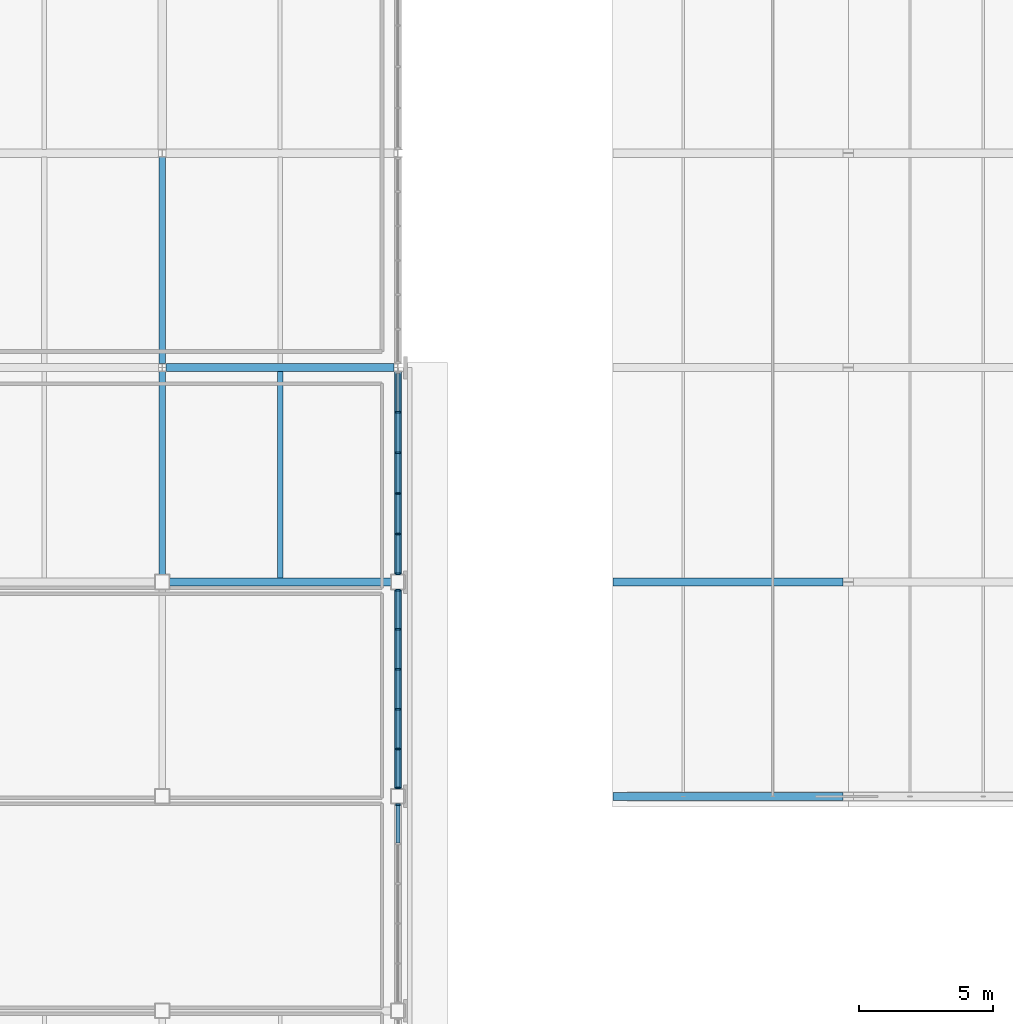
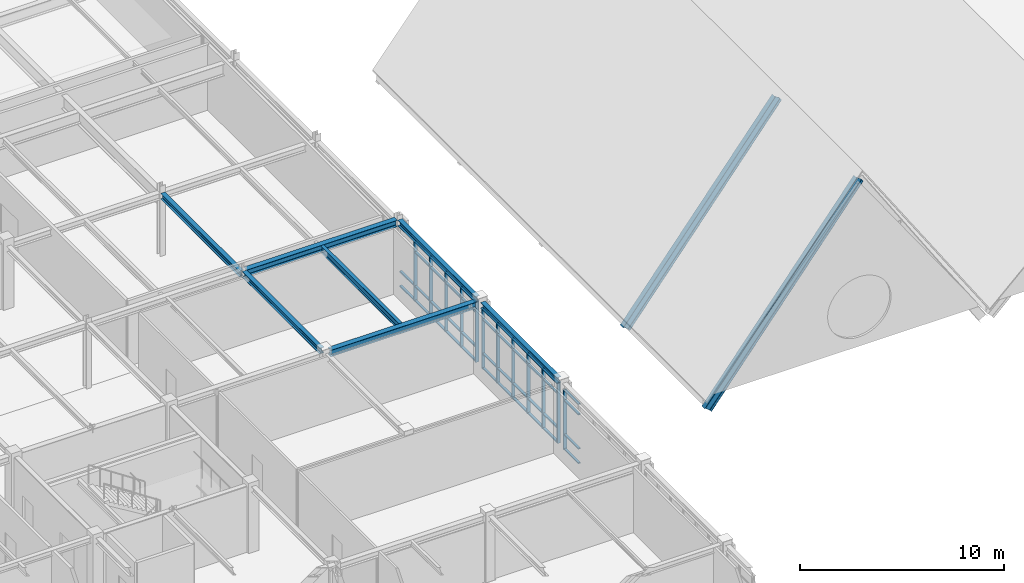
# One storey, part 18 of 64: 56 members, 7 beams, 3 elements without a shape of their own.
"""IFC4 building model written with IfcOpenShell, lengths in metres."""

import ifcopenshell
import ifcopenshell.guid

model = None  # the IFC model being written
_history = None  # IfcOwnerHistory: only IFC2X3 demands one
_inside = {}  # id of a spatial element -> (the spatial element, [elements in it])
_under = {}  # id of a project, library or spatial element -> (it, [spatial elements below it])
_declared = {}  # id of a project -> (the project, [libraries it declares])
_typed = {}  # id of a type object -> (the type object, [elements of that type])
_made_of = {}  # id of a material, layer set ... -> (it, [elements and type objects made of it])


def new_model(schema):
    """Start an empty IFC model of exactly this schema.

    Asked for "IFC4X3", IfcOpenShell would pick the latest addendum, in which some entities
    have other attributes; the version numbers below select the first issue.
    IFC2X3 requires an IfcOwnerHistory on every rooted entity: one is made here for all.
    """
    global model, _history
    if schema == "IFC4X3":
        model = ifcopenshell.file(schema_version=(4, 3, 0, 0))
    else:
        model = ifcopenshell.file(schema=schema)
    _inside.clear()
    _under.clear()
    _declared.clear()
    _typed.clear()
    _made_of.clear()
    _history = None
    if model.schema == "IFC2X3":
        org = make("IfcOrganization", Name="unknown")
        user = make(
            "IfcPersonAndOrganization",
            ThePerson=make("IfcPerson", FamilyName="unknown"),
            TheOrganization=org,
        )
        app = make(
            "IfcApplication",
            ApplicationDeveloper=org,
            Version="unknown",
            ApplicationFullName="unknown",
            ApplicationIdentifier="unknown",
        )
        _history = make(
            "IfcOwnerHistory",
            OwningUser=user,
            OwningApplication=app,
            ChangeAction="ADDED",
            CreationDate=0,
        )
    return model


def make(cls, **values):
    """One entity of the class cls with the attributes given. An attribute that is None is left unset."""
    return model.create_entity(
        cls, **{name: value for name, value in values.items() if value is not None}
    )


def rooted(cls, **values):
    """An entity with a GlobalId (a new one), such as an element, a storey or a relation."""
    return make(cls, GlobalId=ifcopenshell.guid.new(), OwnerHistory=_history, **values)


def si_unit(unit_type, name, prefix=None):
    """IfcSIUnit, for example si_unit("LENGTHUNIT", "METRE", prefix="MILLI")."""
    return make("IfcSIUnit", UnitType=unit_type, Prefix=prefix, Name=name)


def assignment(units):
    """IfcUnitAssignment: the units of a project."""
    return None if units is None else make("IfcUnitAssignment", Units=units)


def point(xyz):
    """IfcCartesianPoint."""
    return None if xyz is None else make("IfcCartesianPoint", Coordinates=xyz)


def direction(xyz):
    """IfcDirection."""
    return None if xyz is None else make("IfcDirection", DirectionRatios=xyz)


def frame(location, z_axis=None, x_axis=None):
    """IfcAxis2Placement3D, a coordinate frame: its origin and axes. An axis left out is left unset."""
    return make(
        "IfcAxis2Placement3D",
        Location=point(location),
        Axis=direction(z_axis),
        RefDirection=direction(x_axis),
    )


def frame_2d(location, x_axis=None):
    """IfcAxis2Placement2D, a coordinate frame in the plane: its origin and x axis."""
    return make(
        "IfcAxis2Placement2D", Location=point(location), RefDirection=direction(x_axis)
    )


def origin():
    """The frame at (0, 0, 0) with its axes left unset."""
    return frame((0.0, 0.0, 0.0))


def origin_2d():
    """The frame at (0, 0) in the plane with its x axis left unset."""
    return frame_2d((0.0, 0.0))


def place(relative_to, where):
    """IfcLocalPlacement: puts the frame where relative to a parent placement (None: the world)."""
    return make(
        "IfcLocalPlacement", PlacementRelTo=relative_to, RelativePlacement=where
    )


def context(
    kind, dimensions, precision=None, world=None, true_north=None, identifier=None
):
    """IfcGeometricRepresentationContext, for example the 3D "Model" context."""
    return make(
        "IfcGeometricRepresentationContext",
        ContextIdentifier=identifier,
        ContextType=kind,
        CoordinateSpaceDimension=dimensions,
        Precision=precision,
        WorldCoordinateSystem=world,
        TrueNorth=true_north,
    )


def subcontext(parent, identifier, kind, view, scale=None):
    """IfcGeometricRepresentationSubContext, for example "Body" below "Model"."""
    return make(
        "IfcGeometricRepresentationSubContext",
        ContextIdentifier=identifier,
        ContextType=kind,
        ParentContext=parent,
        TargetScale=scale,
        TargetView=view,
    )


def project(units=None, contexts=None):
    """IfcProject with its units and contexts."""
    return rooted(
        "IfcProject",
        Name="project",
        RepresentationContexts=contexts,
        UnitsInContext=assignment(units),
    )


def spatial(cls, under=None, at=None, **own):
    """A site, building, storey or space (cls), placed at a placement, below another one or the project."""
    s = rooted(cls, ObjectPlacement=at, **own)
    if under is not None:
        _under.setdefault(under.id(), (under, []))[1].append(s)
    return s


def profile(cls, at=None, kind="AREA", **sizes):
    """A parametric profile (cls). Its sizes go by their IFC names, for example OverallWidth=200.0."""
    return make(cls, ProfileType=kind, Position=at, **sizes)


def rectangle(**sizes):
    """IfcRectangleProfileDef."""
    return profile("IfcRectangleProfileDef", **sizes)


def i_section(**sizes):
    """IfcIShapeProfileDef."""
    return profile("IfcIShapeProfileDef", **sizes)


def extrude(swept, where, along, depth):
    """IfcExtrudedAreaSolid: the profile swept, set in the frame where, extruded along a direction by depth."""
    return make(
        "IfcExtrudedAreaSolid",
        SweptArea=swept,
        Position=where,
        ExtrudedDirection=direction(along),
        Depth=depth,
    )


def shape(context_of_items, identifier, shape_type, items):
    """IfcShapeRepresentation: the items that make up one representation, for example the "Body"."""
    return make(
        "IfcShapeRepresentation",
        ContextOfItems=context_of_items,
        RepresentationIdentifier=identifier,
        RepresentationType=shape_type,
        Items=items,
    )


def material(Name=None, Category=None):
    """IfcMaterial."""
    return make("IfcMaterial", Name=Name, Category=Category)


def material_profile(
    of_material, cross_section, Name=None, Category=None, Priority=None
):
    """IfcMaterialProfile: a cross section and its material."""
    return make(
        "IfcMaterialProfile",
        Name=Name,
        Material=of_material,
        Profile=cross_section,
        Priority=Priority,
        Category=Category,
    )


def profile_set(profiles, Name=None, composite=None):
    """IfcMaterialProfileSet."""
    return make(
        "IfcMaterialProfileSet",
        Name=Name,
        MaterialProfiles=profiles,
        CompositeProfile=composite,
    )


def made_of(thing, what):
    """Note that an element or type object is made of a material, layer set ...; save() writes the relation."""
    if what is not None:
        _made_of.setdefault(what.id(), (what, []))[1].append(thing)
    return thing


def type_object(cls, material=None, **own):
    """A type object (cls), such as IfcWallType, which elements share."""
    return made_of(rooted(cls, **own), material)


def element(
    cls,
    number,
    at=None,
    inside=None,
    cuts=None,
    type_object=None,
    material=None,
    context=None,
    identifier="Body",
    shape_type=None,
    held_by="IfcProductDefinitionShape",
    body=None,
    shapes=None,
    **own,
):
    """One element of the class cls, such as IfcWall. Its Tag is "e" and its number.

    at: its placement. inside: the storey or other place that contains it. cuts: it is an
    opening in that element (IfcRelVoidsElement). A single representation is given by context,
    identifier, shape_type and body (its items); several are given by shapes. held_by: the class
    of the entity that holds the representations. save() writes the other relations.
    """
    e = rooted(cls, Tag="e%d" % number, ObjectPlacement=at, **own)
    if body is not None:
        shapes = [shape(context, identifier, shape_type, body)]
    if shapes is not None:
        e.Representation = make(held_by, Representations=shapes)
    if inside is not None:
        _inside.setdefault(inside.id(), (inside, []))[1].append(e)
    if cuts is not None:
        rooted(
            "IfcRelVoidsElement", RelatingBuildingElement=cuts, RelatedOpeningElement=e
        )
    if type_object is not None:
        _typed.setdefault(type_object.id(), (type_object, []))[1].append(e)
    return made_of(e, material)


def aggregate(whole, parts):
    """IfcRelAggregates: a whole, such as a stair, and the parts it consists of."""
    return rooted("IfcRelAggregates", RelatingObject=whole, RelatedObjects=parts)


def save(model, path):
    """Write the relations noted so far, then the file.

    IfcRelAggregates (storeys below a building ...), IfcRelContainedInSpatialStructure (elements
    in a storey), IfcRelDefinesByType, IfcRelAssociatesMaterial and IfcRelDeclares: one each for
    every whole, place, type object, material and project.
    """
    for whole, parts in _under.values():
        aggregate(whole, parts)
    for where, things in _inside.values():
        rooted(
            "IfcRelContainedInSpatialStructure",
            RelatedElements=things,
            RelatingStructure=where,
        )
    for kind, things in _typed.values():
        rooted("IfcRelDefinesByType", RelatedObjects=things, RelatingType=kind)
    for what, things in _made_of.values():
        rooted("IfcRelAssociatesMaterial", RelatedObjects=things, RelatingMaterial=what)
    for by, libraries in _declared.values():
        rooted("IfcRelDeclares", RelatingContext=by, RelatedDefinitions=libraries)
    model.write(path)


model = new_model("IFC4")

# Units and contexts
model_context = context("Model", 3, precision=1e-05, world=origin(), true_north=direction((0.0, 1.0)))
body_context = subcontext(model_context, "Body", "Model", "MODEL_VIEW")
ifc_project = project(units=[si_unit("LENGTHUNIT", "METRE"), si_unit("AREAUNIT", "SQUARE_METRE"), si_unit("VOLUMEUNIT", "CUBIC_METRE"), si_unit("PLANEANGLEUNIT", "RADIAN"), si_unit("MASSUNIT", "GRAM", prefix="KILO")], contexts=[model_context])

# Site, building, storey
site_placement = place(None, origin())
site = spatial("IfcSite", under=ifc_project, at=site_placement, CompositionType="ELEMENT")
building_placement = place(site_placement, origin())
building = spatial("IfcBuilding", under=site, at=building_placement, Name="Zhaolan Boulevard Law Courts", CompositionType="ELEMENT")
storey_placement = place(building_placement, frame((0.0, 0.0, 20.39990234375)))
storey = spatial("IfcBuildingStorey", under=building, at=storey_placement, Name="L04", CompositionType="ELEMENT", Elevation=20.39990234375)

# Curtain wall, member
ifc_material_1 = material(Name="Thermally broken aluminium and low-E glazing", Category="aluminium")
curtain_wall_type_1 = type_object("IfcCurtainWallType", Name="CURTAIN WALL M7", PredefinedType="USERDEFINED", material=ifc_material_1)
curtain_wall_1_placement = place(storey_placement, origin())
curtain_wall_1 = element("IfcCurtainWall", 1, at=curtain_wall_1_placement, inside=storey, type_object=curtain_wall_type_1, Name="Curtain Wall CW-L04-199", ObjectType="CURTAIN WALL", PredefinedType="USERDEFINED")
ifc_material_2 = material(Name="Fluorocarbon-coated aluminium 6063-T6", Category="aluminium")
ifc_material_profile_1 = material_profile(ifc_material_2, rectangle(XDim=0.179931640625, YDim=0.06494140625, at=origin_2d()), Name="AL65x180")
ifc_profile_set_1 = profile_set([ifc_material_profile_1], Name="Fluorocarbon-coated aluminium 6063-T6")
member_type_1 = type_object("IfcMemberType", Name="CWMULLION 65X180", PredefinedType="MULLION", material=ifc_profile_set_1)
member_1_placement = place(storey_placement, frame((44.0, 61.6904296875, 0.0), z_axis=(0.0, 0.0, 1.0), x_axis=(-1.0, 0.0, 0.0)))
member_1 = element("IfcMember", 2, at=member_1_placement, type_object=member_type_1, Name="CW-L04-199 mullion 6", PredefinedType="MULLION", context=body_context, shape_type="SweptSolid", body=[
    extrude(rectangle(XDim=0.179931640625, YDim=0.06494140625, at=origin_2d()), origin(), (0.0, 0.0, 1.0), 3.593017578125),
])

# Curtain wall, members
ifc_material_3 = material(Name="Thermally broken aluminium and low-E glazing", Category="aluminium")
curtain_wall_type_2 = type_object("IfcCurtainWallType", Name="CURTAIN WALL M8", PredefinedType="USERDEFINED", material=ifc_material_3)
curtain_wall_2_placement = place(storey_placement, origin())
curtain_wall_2 = element("IfcCurtainWall", 3, at=curtain_wall_2_placement, inside=storey, type_object=curtain_wall_type_2, Name="Curtain Wall CW-L04-200", ObjectType="CURTAIN WALL", PredefinedType="USERDEFINED")
member_2_placement = place(storey_placement, frame((44.0, 62.3095703125, 0.0), z_axis=(0.0, 0.0, 1.0), x_axis=(-1.0, 0.0, 0.0)))
member_2 = element("IfcMember", 4, at=member_2_placement, type_object=member_type_1, Name="CW-L04-200 mullion 1", PredefinedType="MULLION", context=body_context, shape_type="SweptSolid", body=[
    extrude(rectangle(XDim=0.179931640625, YDim=0.06494140625, at=origin_2d()), origin(), (0.0, 0.0, 1.0), 3.593017578125),
])
member_3_placement = place(storey_placement, frame((44.0, 63.76611328125, 0.0), z_axis=(0.0, 0.0, 1.0), x_axis=(-1.0, 0.0, 0.0)))
member_3 = element("IfcMember", 5, at=member_3_placement, type_object=member_type_1, Name="CW-L04-200 mullion 2", PredefinedType="MULLION", context=body_context, shape_type="SweptSolid", body=[
    extrude(rectangle(XDim=0.179931640625, YDim=0.06494140625, at=origin_2d()), origin(), (0.0, 0.0, 1.0), 3.593017578125),
])
member_4_placement = place(storey_placement, frame((44.0, 65.25537109375, 0.0), z_axis=(0.0, 0.0, 1.0), x_axis=(-1.0, 0.0, 0.0)))
member_4 = element("IfcMember", 6, at=member_4_placement, type_object=member_type_1, Name="CW-L04-200 mullion 3", PredefinedType="MULLION", context=body_context, shape_type="SweptSolid", body=[
    extrude(rectangle(XDim=0.179931640625, YDim=0.06494140625, at=origin_2d()), origin(), (0.0, 0.0, 1.0), 3.593017578125),
])
member_5_placement = place(storey_placement, frame((44.0, 66.74462890625, 0.0), z_axis=(0.0, 0.0, 1.0), x_axis=(-1.0, 0.0, 0.0)))
member_5 = element("IfcMember", 7, at=member_5_placement, type_object=member_type_1, Name="CW-L04-200 mullion 4", PredefinedType="MULLION", context=body_context, shape_type="SweptSolid", body=[
    extrude(rectangle(XDim=0.179931640625, YDim=0.06494140625, at=origin_2d()), origin(), (0.0, 0.0, 1.0), 3.593017578125),
])
member_6_placement = place(storey_placement, frame((44.0, 68.23388671875, 0.0), z_axis=(0.0, 0.0, 1.0), x_axis=(-1.0, 0.0, 0.0)))
member_6 = element("IfcMember", 8, at=member_6_placement, type_object=member_type_1, Name="CW-L04-200 mullion 5", PredefinedType="MULLION", context=body_context, shape_type="SweptSolid", body=[
    extrude(rectangle(XDim=0.179931640625, YDim=0.06494140625, at=origin_2d()), origin(), (0.0, 0.0, 1.0), 3.593017578125),
])
member_7_placement = place(storey_placement, frame((44.0, 69.6904296875, 0.0), z_axis=(0.0, 0.0, 1.0), x_axis=(-1.0, 0.0, 0.0)))
member_7 = element("IfcMember", 9, at=member_7_placement, type_object=member_type_1, Name="CW-L04-200 mullion 6", PredefinedType="MULLION", context=body_context, shape_type="SweptSolid", body=[
    extrude(rectangle(XDim=0.179931640625, YDim=0.06494140625, at=origin_2d()), origin(), (0.0, 0.0, 1.0), 3.593017578125),
])

ifc_material_4 = material(Name="Thermally broken aluminium and low-E glazing", Category="aluminium")
curtain_wall_type_3 = type_object("IfcCurtainWallType", Name="CURTAIN WALL M9", PredefinedType="USERDEFINED", material=ifc_material_4)
curtain_wall_3_placement = place(storey_placement, origin())
curtain_wall_3 = element("IfcCurtainWall", 10, at=curtain_wall_3_placement, inside=storey, type_object=curtain_wall_type_3, Name="Curtain Wall CW-L04-201", ObjectType="CURTAIN WALL", PredefinedType="USERDEFINED")
member_8_placement = place(storey_placement, frame((44.0, 70.3095703125, 0.0), z_axis=(0.0, 0.0, 1.0), x_axis=(-1.0, 0.0, 0.0)))
member_8 = element("IfcMember", 11, at=member_8_placement, type_object=member_type_1, Name="CW-L04-201 mullion 1", PredefinedType="MULLION", context=body_context, shape_type="SweptSolid", body=[
    extrude(rectangle(XDim=0.179931640625, YDim=0.06494140625, at=origin_2d()), origin(), (0.0, 0.0, 1.0), 3.593017578125),
])
member_9_placement = place(storey_placement, frame((44.0, 71.791259765625, 0.0), z_axis=(0.0, 0.0, 1.0), x_axis=(-1.0, 0.0, 0.0)))
member_9 = element("IfcMember", 12, at=member_9_placement, type_object=member_type_1, Name="CW-L04-201 mullion 2", PredefinedType="MULLION", context=body_context, shape_type="SweptSolid", body=[
    extrude(rectangle(XDim=0.179931640625, YDim=0.06494140625, at=origin_2d()), origin(), (0.0, 0.0, 1.0), 3.593017578125),
])
member_10_placement = place(storey_placement, frame((44.0, 73.305419921875, 0.0), z_axis=(0.0, 0.0, 1.0), x_axis=(-1.0, 0.0, 0.0)))
member_10 = element("IfcMember", 13, at=member_10_placement, type_object=member_type_1, Name="CW-L04-201 mullion 3", PredefinedType="MULLION", context=body_context, shape_type="SweptSolid", body=[
    extrude(rectangle(XDim=0.179931640625, YDim=0.06494140625, at=origin_2d()), origin(), (0.0, 0.0, 1.0), 3.593017578125),
])
member_11_placement = place(storey_placement, frame((44.0, 74.819580078125, 0.0), z_axis=(0.0, 0.0, 1.0), x_axis=(-1.0, 0.0, 0.0)))
member_11 = element("IfcMember", 14, at=member_11_placement, type_object=member_type_1, Name="CW-L04-201 mullion 4", PredefinedType="MULLION", context=body_context, shape_type="SweptSolid", body=[
    extrude(rectangle(XDim=0.179931640625, YDim=0.06494140625, at=origin_2d()), origin(), (0.0, 0.0, 1.0), 3.593017578125),
])
member_12_placement = place(storey_placement, frame((44.0, 76.333740234375, 0.0), z_axis=(0.0, 0.0, 1.0), x_axis=(-1.0, 0.0, 0.0)))
member_12 = element("IfcMember", 15, at=member_12_placement, type_object=member_type_1, Name="CW-L04-201 mullion 5", PredefinedType="MULLION", context=body_context, shape_type="SweptSolid", body=[
    extrude(rectangle(XDim=0.179931640625, YDim=0.06494140625, at=origin_2d()), origin(), (0.0, 0.0, 1.0), 3.593017578125),
])

# Member
ifc_material_5 = material(Name="Fluorocarbon-coated aluminium 6063-T6", Category="aluminium")
ifc_material_profile_2 = material_profile(ifc_material_5, rectangle(XDim=0.139892578125, YDim=0.06494140625, at=origin_2d()), Name="AL65x140")
ifc_profile_set_2 = profile_set([ifc_material_profile_2], Name="Fluorocarbon-coated aluminium 6063-T6")
member_type_2 = type_object("IfcMemberType", Name="CWTRANSOM 65X140", PredefinedType="USERDEFINED", material=ifc_profile_set_2)
member_13_placement = place(storey_placement, frame((44.0, 60.266357421875, 0.03271484375), z_axis=(0.0, 1.0, 0.0), x_axis=(-1.0, 0.0, 0.0)))
member_13 = element("IfcMember", 16, at=member_13_placement, type_object=member_type_2, Name="CW-L04-199 transom 5.1", ObjectType="TRANSOM", PredefinedType="USERDEFINED", context=body_context, shape_type="SweptSolid", body=[
    extrude(rectangle(XDim=0.139892578125, YDim=0.06494140625, at=origin_2d()), origin(), (0.0, 0.0, 1.0), 1.3916015625),
])

member_14_placement = place(storey_placement, frame((44.0, 60.266357421875, 0.900146484375), z_axis=(0.0, 1.0, 0.0), x_axis=(-1.0, 0.0, 0.0)))
member_14 = element("IfcMember", 17, at=member_14_placement, type_object=member_type_2, Name="CW-L04-199 transom 5.2", ObjectType="TRANSOM", PredefinedType="USERDEFINED", context=body_context, shape_type="SweptSolid", body=[
    extrude(rectangle(XDim=0.139892578125, YDim=0.06494140625, at=origin_2d()), origin(), (0.0, 0.0, 1.0), 1.3916015625),
])

member_15_placement = place(storey_placement, frame((44.0, 60.266357421875, 2.943115234375), z_axis=(0.0, 1.0, 0.0), x_axis=(-1.0, 0.0, 0.0)))
member_15 = element("IfcMember", 18, at=member_15_placement, type_object=member_type_2, Name="CW-L04-199 transom 5.3", ObjectType="TRANSOM", PredefinedType="USERDEFINED", context=body_context, shape_type="SweptSolid", body=[
    extrude(rectangle(XDim=0.139892578125, YDim=0.06494140625, at=origin_2d()), origin(), (0.0, 0.0, 1.0), 1.3916015625),
])

member_16_placement = place(storey_placement, frame((44.0, 60.266357421875, 3.560546875), z_axis=(0.0, 1.0, 0.0), x_axis=(-1.0, 0.0, 0.0)))
member_16 = element("IfcMember", 19, at=member_16_placement, type_object=member_type_2, Name="CW-L04-199 transom 5.4", ObjectType="TRANSOM", PredefinedType="USERDEFINED", context=body_context, shape_type="SweptSolid", body=[
    extrude(rectangle(XDim=0.139892578125, YDim=0.06494140625, at=origin_2d()), origin(), (0.0, 0.0, 1.0), 1.3916015625),
])

aggregate(curtain_wall_1, [member_1, member_13, member_14, member_15, member_16])

member_17_placement = place(storey_placement, frame((44.0, 62.342041015625, 0.03271484375), z_axis=(0.0, 1.0, 0.0), x_axis=(-1.0, 0.0, 0.0)))
member_17 = element("IfcMember", 20, at=member_17_placement, type_object=member_type_2, Name="CW-L04-200 transom 1.1", ObjectType="TRANSOM", PredefinedType="USERDEFINED", context=body_context, shape_type="SweptSolid", body=[
    extrude(rectangle(XDim=0.139892578125, YDim=0.06494140625, at=origin_2d()), origin(), (0.0, 0.0, 1.0), 1.3916015625),
])

member_18_placement = place(storey_placement, frame((44.0, 62.342041015625, 0.900146484375), z_axis=(0.0, 1.0, 0.0), x_axis=(-1.0, 0.0, 0.0)))
member_18 = element("IfcMember", 21, at=member_18_placement, type_object=member_type_2, Name="CW-L04-200 transom 1.2", ObjectType="TRANSOM", PredefinedType="USERDEFINED", context=body_context, shape_type="SweptSolid", body=[
    extrude(rectangle(XDim=0.139892578125, YDim=0.06494140625, at=origin_2d()), origin(), (0.0, 0.0, 1.0), 1.3916015625),
])

member_19_placement = place(storey_placement, frame((44.0, 62.342041015625, 2.943115234375), z_axis=(0.0, 1.0, 0.0), x_axis=(-1.0, 0.0, 0.0)))
member_19 = element("IfcMember", 22, at=member_19_placement, type_object=member_type_2, Name="CW-L04-200 transom 1.3", ObjectType="TRANSOM", PredefinedType="USERDEFINED", context=body_context, shape_type="SweptSolid", body=[
    extrude(rectangle(XDim=0.139892578125, YDim=0.06494140625, at=origin_2d()), origin(), (0.0, 0.0, 1.0), 1.3916015625),
])

member_20_placement = place(storey_placement, frame((44.0, 62.342041015625, 3.560546875), z_axis=(0.0, 1.0, 0.0), x_axis=(-1.0, 0.0, 0.0)))
member_20 = element("IfcMember", 23, at=member_20_placement, type_object=member_type_2, Name="CW-L04-200 transom 1.4", ObjectType="TRANSOM", PredefinedType="USERDEFINED", context=body_context, shape_type="SweptSolid", body=[
    extrude(rectangle(XDim=0.139892578125, YDim=0.06494140625, at=origin_2d()), origin(), (0.0, 0.0, 1.0), 1.3916015625),
])

member_21_placement = place(storey_placement, frame((44.0, 63.798583984375, 0.03271484375), z_axis=(0.0, 1.0, 0.0), x_axis=(-1.0, 0.0, 0.0)))
member_21 = element("IfcMember", 24, at=member_21_placement, type_object=member_type_2, Name="CW-L04-200 transom 2.1", ObjectType="TRANSOM", PredefinedType="USERDEFINED", context=body_context, shape_type="SweptSolid", body=[
    extrude(rectangle(XDim=0.139892578125, YDim=0.06494140625, at=origin_2d()), origin(), (0.0, 0.0, 1.0), 1.42431640625),
])

member_22_placement = place(storey_placement, frame((44.0, 63.798583984375, 0.900146484375), z_axis=(0.0, 1.0, 0.0), x_axis=(-1.0, 0.0, 0.0)))
member_22 = element("IfcMember", 25, at=member_22_placement, type_object=member_type_2, Name="CW-L04-200 transom 2.2", ObjectType="TRANSOM", PredefinedType="USERDEFINED", context=body_context, shape_type="SweptSolid", body=[
    extrude(rectangle(XDim=0.139892578125, YDim=0.06494140625, at=origin_2d()), origin(), (0.0, 0.0, 1.0), 1.42431640625),
])

member_23_placement = place(storey_placement, frame((44.0, 63.798583984375, 2.943115234375), z_axis=(0.0, 1.0, 0.0), x_axis=(-1.0, 0.0, 0.0)))
member_23 = element("IfcMember", 26, at=member_23_placement, type_object=member_type_2, Name="CW-L04-200 transom 2.3", ObjectType="TRANSOM", PredefinedType="USERDEFINED", context=body_context, shape_type="SweptSolid", body=[
    extrude(rectangle(XDim=0.139892578125, YDim=0.06494140625, at=origin_2d()), origin(), (0.0, 0.0, 1.0), 1.42431640625),
])

member_24_placement = place(storey_placement, frame((44.0, 63.798583984375, 3.560546875), z_axis=(0.0, 1.0, 0.0), x_axis=(-1.0, 0.0, 0.0)))
member_24 = element("IfcMember", 27, at=member_24_placement, type_object=member_type_2, Name="CW-L04-200 transom 2.4", ObjectType="TRANSOM", PredefinedType="USERDEFINED", context=body_context, shape_type="SweptSolid", body=[
    extrude(rectangle(XDim=0.139892578125, YDim=0.06494140625, at=origin_2d()), origin(), (0.0, 0.0, 1.0), 1.42431640625),
])

member_25_placement = place(storey_placement, frame((44.0, 65.287841796875, 0.03271484375), z_axis=(0.0, 1.0, 0.0), x_axis=(-1.0, 0.0, 0.0)))
member_25 = element("IfcMember", 28, at=member_25_placement, type_object=member_type_2, Name="CW-L04-200 transom 3.1", ObjectType="TRANSOM", PredefinedType="USERDEFINED", context=body_context, shape_type="SweptSolid", body=[
    extrude(rectangle(XDim=0.139892578125, YDim=0.06494140625, at=origin_2d()), origin(), (0.0, 0.0, 1.0), 1.42431640625),
])

member_26_placement = place(storey_placement, frame((44.0, 65.287841796875, 0.900146484375), z_axis=(0.0, 1.0, 0.0), x_axis=(-1.0, 0.0, 0.0)))
member_26 = element("IfcMember", 29, at=member_26_placement, type_object=member_type_2, Name="CW-L04-200 transom 3.2", ObjectType="TRANSOM", PredefinedType="USERDEFINED", context=body_context, shape_type="SweptSolid", body=[
    extrude(rectangle(XDim=0.139892578125, YDim=0.06494140625, at=origin_2d()), origin(), (0.0, 0.0, 1.0), 1.42431640625),
])

member_27_placement = place(storey_placement, frame((44.0, 65.287841796875, 2.943115234375), z_axis=(0.0, 1.0, 0.0), x_axis=(-1.0, 0.0, 0.0)))
member_27 = element("IfcMember", 30, at=member_27_placement, type_object=member_type_2, Name="CW-L04-200 transom 3.3", ObjectType="TRANSOM", PredefinedType="USERDEFINED", context=body_context, shape_type="SweptSolid", body=[
    extrude(rectangle(XDim=0.139892578125, YDim=0.06494140625, at=origin_2d()), origin(), (0.0, 0.0, 1.0), 1.42431640625),
])

member_28_placement = place(storey_placement, frame((44.0, 65.287841796875, 3.560546875), z_axis=(0.0, 1.0, 0.0), x_axis=(-1.0, 0.0, 0.0)))
member_28 = element("IfcMember", 31, at=member_28_placement, type_object=member_type_2, Name="CW-L04-200 transom 3.4", ObjectType="TRANSOM", PredefinedType="USERDEFINED", context=body_context, shape_type="SweptSolid", body=[
    extrude(rectangle(XDim=0.139892578125, YDim=0.06494140625, at=origin_2d()), origin(), (0.0, 0.0, 1.0), 1.42431640625),
])

member_29_placement = place(storey_placement, frame((44.0, 66.777099609375, 0.03271484375), z_axis=(0.0, 1.0, 0.0), x_axis=(-1.0, 0.0, 0.0)))
member_29 = element("IfcMember", 32, at=member_29_placement, type_object=member_type_2, Name="CW-L04-200 transom 4.1", ObjectType="TRANSOM", PredefinedType="USERDEFINED", context=body_context, shape_type="SweptSolid", body=[
    extrude(rectangle(XDim=0.139892578125, YDim=0.06494140625, at=origin_2d()), origin(), (0.0, 0.0, 1.0), 1.42431640625),
])

member_30_placement = place(storey_placement, frame((44.0, 66.777099609375, 0.900146484375), z_axis=(0.0, 1.0, 0.0), x_axis=(-1.0, 0.0, 0.0)))
member_30 = element("IfcMember", 33, at=member_30_placement, type_object=member_type_2, Name="CW-L04-200 transom 4.2", ObjectType="TRANSOM", PredefinedType="USERDEFINED", context=body_context, shape_type="SweptSolid", body=[
    extrude(rectangle(XDim=0.139892578125, YDim=0.06494140625, at=origin_2d()), origin(), (0.0, 0.0, 1.0), 1.42431640625),
])

member_31_placement = place(storey_placement, frame((44.0, 66.777099609375, 2.943115234375), z_axis=(0.0, 1.0, 0.0), x_axis=(-1.0, 0.0, 0.0)))
member_31 = element("IfcMember", 34, at=member_31_placement, type_object=member_type_2, Name="CW-L04-200 transom 4.3", ObjectType="TRANSOM", PredefinedType="USERDEFINED", context=body_context, shape_type="SweptSolid", body=[
    extrude(rectangle(XDim=0.139892578125, YDim=0.06494140625, at=origin_2d()), origin(), (0.0, 0.0, 1.0), 1.42431640625),
])

member_32_placement = place(storey_placement, frame((44.0, 66.777099609375, 3.560546875), z_axis=(0.0, 1.0, 0.0), x_axis=(-1.0, 0.0, 0.0)))
member_32 = element("IfcMember", 35, at=member_32_placement, type_object=member_type_2, Name="CW-L04-200 transom 4.4", ObjectType="TRANSOM", PredefinedType="USERDEFINED", context=body_context, shape_type="SweptSolid", body=[
    extrude(rectangle(XDim=0.139892578125, YDim=0.06494140625, at=origin_2d()), origin(), (0.0, 0.0, 1.0), 1.42431640625),
])

member_33_placement = place(storey_placement, frame((44.0, 68.266357421875, 0.03271484375), z_axis=(0.0, 1.0, 0.0), x_axis=(-1.0, 0.0, 0.0)))
member_33 = element("IfcMember", 36, at=member_33_placement, type_object=member_type_2, Name="CW-L04-200 transom 5.1", ObjectType="TRANSOM", PredefinedType="USERDEFINED", context=body_context, shape_type="SweptSolid", body=[
    extrude(rectangle(XDim=0.139892578125, YDim=0.06494140625, at=origin_2d()), origin(), (0.0, 0.0, 1.0), 1.3916015625),
])

member_34_placement = place(storey_placement, frame((44.0, 68.266357421875, 0.900146484375), z_axis=(0.0, 1.0, 0.0), x_axis=(-1.0, 0.0, 0.0)))
member_34 = element("IfcMember", 37, at=member_34_placement, type_object=member_type_2, Name="CW-L04-200 transom 5.2", ObjectType="TRANSOM", PredefinedType="USERDEFINED", context=body_context, shape_type="SweptSolid", body=[
    extrude(rectangle(XDim=0.139892578125, YDim=0.06494140625, at=origin_2d()), origin(), (0.0, 0.0, 1.0), 1.3916015625),
])

member_35_placement = place(storey_placement, frame((44.0, 68.266357421875, 2.943115234375), z_axis=(0.0, 1.0, 0.0), x_axis=(-1.0, 0.0, 0.0)))
member_35 = element("IfcMember", 38, at=member_35_placement, type_object=member_type_2, Name="CW-L04-200 transom 5.3", ObjectType="TRANSOM", PredefinedType="USERDEFINED", context=body_context, shape_type="SweptSolid", body=[
    extrude(rectangle(XDim=0.139892578125, YDim=0.06494140625, at=origin_2d()), origin(), (0.0, 0.0, 1.0), 1.3916015625),
])

member_36_placement = place(storey_placement, frame((44.0, 68.266357421875, 3.560546875), z_axis=(0.0, 1.0, 0.0), x_axis=(-1.0, 0.0, 0.0)))
member_36 = element("IfcMember", 39, at=member_36_placement, type_object=member_type_2, Name="CW-L04-200 transom 5.4", ObjectType="TRANSOM", PredefinedType="USERDEFINED", context=body_context, shape_type="SweptSolid", body=[
    extrude(rectangle(XDim=0.139892578125, YDim=0.06494140625, at=origin_2d()), origin(), (0.0, 0.0, 1.0), 1.3916015625),
])

aggregate(curtain_wall_2, [member_2, member_3, member_4, member_5, member_6, member_7, member_17, member_18, member_19, member_20, member_21, member_22, member_23, member_24, member_25, member_26, member_27, member_28, member_29, member_30, member_31, member_32, member_33, member_34, member_35, member_36])

member_37_placement = place(storey_placement, frame((44.0, 70.342041015625, 0.03271484375), z_axis=(0.0, 1.0, 0.0), x_axis=(-1.0, 0.0, 0.0)))
member_37 = element("IfcMember", 40, at=member_37_placement, type_object=member_type_2, Name="CW-L04-201 transom 1.1", ObjectType="TRANSOM", PredefinedType="USERDEFINED", context=body_context, shape_type="SweptSolid", body=[
    extrude(rectangle(XDim=0.139892578125, YDim=0.06494140625, at=origin_2d()), origin(), (0.0, 0.0, 1.0), 1.416748046875),
])

member_38_placement = place(storey_placement, frame((44.0, 70.342041015625, 0.900146484375), z_axis=(0.0, 1.0, 0.0), x_axis=(-1.0, 0.0, 0.0)))
member_38 = element("IfcMember", 41, at=member_38_placement, type_object=member_type_2, Name="CW-L04-201 transom 1.2", ObjectType="TRANSOM", PredefinedType="USERDEFINED", context=body_context, shape_type="SweptSolid", body=[
    extrude(rectangle(XDim=0.139892578125, YDim=0.06494140625, at=origin_2d()), origin(), (0.0, 0.0, 1.0), 1.416748046875),
])

member_39_placement = place(storey_placement, frame((44.0, 70.342041015625, 2.943115234375), z_axis=(0.0, 1.0, 0.0), x_axis=(-1.0, 0.0, 0.0)))
member_39 = element("IfcMember", 42, at=member_39_placement, type_object=member_type_2, Name="CW-L04-201 transom 1.3", ObjectType="TRANSOM", PredefinedType="USERDEFINED", context=body_context, shape_type="SweptSolid", body=[
    extrude(rectangle(XDim=0.139892578125, YDim=0.06494140625, at=origin_2d()), origin(), (0.0, 0.0, 1.0), 1.416748046875),
])

member_40_placement = place(storey_placement, frame((44.0, 70.342041015625, 3.560546875), z_axis=(0.0, 1.0, 0.0), x_axis=(-1.0, 0.0, 0.0)))
member_40 = element("IfcMember", 43, at=member_40_placement, type_object=member_type_2, Name="CW-L04-201 transom 1.4", ObjectType="TRANSOM", PredefinedType="USERDEFINED", context=body_context, shape_type="SweptSolid", body=[
    extrude(rectangle(XDim=0.139892578125, YDim=0.06494140625, at=origin_2d()), origin(), (0.0, 0.0, 1.0), 1.416748046875),
])

member_41_placement = place(storey_placement, frame((44.0, 71.82373046875, 0.03271484375), z_axis=(0.0, 1.0, 0.0), x_axis=(-1.0, 0.0, 0.0)))
member_41 = element("IfcMember", 44, at=member_41_placement, type_object=member_type_2, Name="CW-L04-201 transom 2.1", ObjectType="TRANSOM", PredefinedType="USERDEFINED", context=body_context, shape_type="SweptSolid", body=[
    extrude(rectangle(XDim=0.139892578125, YDim=0.06494140625, at=origin_2d()), origin(), (0.0, 0.0, 1.0), 1.44921875),
])

member_42_placement = place(storey_placement, frame((44.0, 71.82373046875, 0.900146484375), z_axis=(0.0, 1.0, 0.0), x_axis=(-1.0, 0.0, 0.0)))
member_42 = element("IfcMember", 45, at=member_42_placement, type_object=member_type_2, Name="CW-L04-201 transom 2.2", ObjectType="TRANSOM", PredefinedType="USERDEFINED", context=body_context, shape_type="SweptSolid", body=[
    extrude(rectangle(XDim=0.139892578125, YDim=0.06494140625, at=origin_2d()), origin(), (0.0, 0.0, 1.0), 1.44921875),
])

member_43_placement = place(storey_placement, frame((44.0, 71.82373046875, 2.943115234375), z_axis=(0.0, 1.0, 0.0), x_axis=(-1.0, 0.0, 0.0)))
member_43 = element("IfcMember", 46, at=member_43_placement, type_object=member_type_2, Name="CW-L04-201 transom 2.3", ObjectType="TRANSOM", PredefinedType="USERDEFINED", context=body_context, shape_type="SweptSolid", body=[
    extrude(rectangle(XDim=0.139892578125, YDim=0.06494140625, at=origin_2d()), origin(), (0.0, 0.0, 1.0), 1.44921875),
])

member_44_placement = place(storey_placement, frame((44.0, 71.82373046875, 3.560546875), z_axis=(0.0, 1.0, 0.0), x_axis=(-1.0, 0.0, 0.0)))
member_44 = element("IfcMember", 47, at=member_44_placement, type_object=member_type_2, Name="CW-L04-201 transom 2.4", ObjectType="TRANSOM", PredefinedType="USERDEFINED", context=body_context, shape_type="SweptSolid", body=[
    extrude(rectangle(XDim=0.139892578125, YDim=0.06494140625, at=origin_2d()), origin(), (0.0, 0.0, 1.0), 1.44921875),
])

member_45_placement = place(storey_placement, frame((44.0, 73.337890625, 0.03271484375), z_axis=(0.0, 1.0, 0.0), x_axis=(-1.0, 0.0, 0.0)))
member_45 = element("IfcMember", 48, at=member_45_placement, type_object=member_type_2, Name="CW-L04-201 transom 3.1", ObjectType="TRANSOM", PredefinedType="USERDEFINED", context=body_context, shape_type="SweptSolid", body=[
    extrude(rectangle(XDim=0.139892578125, YDim=0.06494140625, at=origin_2d()), origin(), (0.0, 0.0, 1.0), 1.44921875),
])

member_46_placement = place(storey_placement, frame((44.0, 73.337890625, 0.900146484375), z_axis=(0.0, 1.0, 0.0), x_axis=(-1.0, 0.0, 0.0)))
member_46 = element("IfcMember", 49, at=member_46_placement, type_object=member_type_2, Name="CW-L04-201 transom 3.2", ObjectType="TRANSOM", PredefinedType="USERDEFINED", context=body_context, shape_type="SweptSolid", body=[
    extrude(rectangle(XDim=0.139892578125, YDim=0.06494140625, at=origin_2d()), origin(), (0.0, 0.0, 1.0), 1.44921875),
])

member_47_placement = place(storey_placement, frame((44.0, 73.337890625, 2.943115234375), z_axis=(0.0, 1.0, 0.0), x_axis=(-1.0, 0.0, 0.0)))
member_47 = element("IfcMember", 50, at=member_47_placement, type_object=member_type_2, Name="CW-L04-201 transom 3.3", ObjectType="TRANSOM", PredefinedType="USERDEFINED", context=body_context, shape_type="SweptSolid", body=[
    extrude(rectangle(XDim=0.139892578125, YDim=0.06494140625, at=origin_2d()), origin(), (0.0, 0.0, 1.0), 1.44921875),
])

member_48_placement = place(storey_placement, frame((44.0, 73.337890625, 3.560546875), z_axis=(0.0, 1.0, 0.0), x_axis=(-1.0, 0.0, 0.0)))
member_48 = element("IfcMember", 51, at=member_48_placement, type_object=member_type_2, Name="CW-L04-201 transom 3.4", ObjectType="TRANSOM", PredefinedType="USERDEFINED", context=body_context, shape_type="SweptSolid", body=[
    extrude(rectangle(XDim=0.139892578125, YDim=0.06494140625, at=origin_2d()), origin(), (0.0, 0.0, 1.0), 1.44921875),
])

member_49_placement = place(storey_placement, frame((44.0, 74.85205078125, 0.03271484375), z_axis=(0.0, 1.0, 0.0), x_axis=(-1.0, 0.0, 0.0)))
member_49 = element("IfcMember", 52, at=member_49_placement, type_object=member_type_2, Name="CW-L04-201 transom 4.1", ObjectType="TRANSOM", PredefinedType="USERDEFINED", context=body_context, shape_type="SweptSolid", body=[
    extrude(rectangle(XDim=0.139892578125, YDim=0.06494140625, at=origin_2d()), origin(), (0.0, 0.0, 1.0), 1.44921875),
])

member_50_placement = place(storey_placement, frame((44.0, 74.85205078125, 0.900146484375), z_axis=(0.0, 1.0, 0.0), x_axis=(-1.0, 0.0, 0.0)))
member_50 = element("IfcMember", 53, at=member_50_placement, type_object=member_type_2, Name="CW-L04-201 transom 4.2", ObjectType="TRANSOM", PredefinedType="USERDEFINED", context=body_context, shape_type="SweptSolid", body=[
    extrude(rectangle(XDim=0.139892578125, YDim=0.06494140625, at=origin_2d()), origin(), (0.0, 0.0, 1.0), 1.44921875),
])

member_51_placement = place(storey_placement, frame((44.0, 74.85205078125, 2.943115234375), z_axis=(0.0, 1.0, 0.0), x_axis=(-1.0, 0.0, 0.0)))
member_51 = element("IfcMember", 54, at=member_51_placement, type_object=member_type_2, Name="CW-L04-201 transom 4.3", ObjectType="TRANSOM", PredefinedType="USERDEFINED", context=body_context, shape_type="SweptSolid", body=[
    extrude(rectangle(XDim=0.139892578125, YDim=0.06494140625, at=origin_2d()), origin(), (0.0, 0.0, 1.0), 1.44921875),
])

member_52_placement = place(storey_placement, frame((44.0, 74.85205078125, 3.560546875), z_axis=(0.0, 1.0, 0.0), x_axis=(-1.0, 0.0, 0.0)))
member_52 = element("IfcMember", 55, at=member_52_placement, type_object=member_type_2, Name="CW-L04-201 transom 4.4", ObjectType="TRANSOM", PredefinedType="USERDEFINED", context=body_context, shape_type="SweptSolid", body=[
    extrude(rectangle(XDim=0.139892578125, YDim=0.06494140625, at=origin_2d()), origin(), (0.0, 0.0, 1.0), 1.44921875),
])

member_53_placement = place(storey_placement, frame((44.0, 76.3662109375, 0.03271484375), z_axis=(0.0, 1.0, 0.0), x_axis=(-1.0, 0.0, 0.0)))
member_53 = element("IfcMember", 56, at=member_53_placement, type_object=member_type_2, Name="CW-L04-201 transom 5.1", ObjectType="TRANSOM", PredefinedType="USERDEFINED", context=body_context, shape_type="SweptSolid", body=[
    extrude(rectangle(XDim=0.139892578125, YDim=0.06494140625, at=origin_2d()), origin(), (0.0, 0.0, 1.0), 1.416748046875),
])

member_54_placement = place(storey_placement, frame((44.0, 76.3662109375, 0.900146484375), z_axis=(0.0, 1.0, 0.0), x_axis=(-1.0, 0.0, 0.0)))
member_54 = element("IfcMember", 57, at=member_54_placement, type_object=member_type_2, Name="CW-L04-201 transom 5.2", ObjectType="TRANSOM", PredefinedType="USERDEFINED", context=body_context, shape_type="SweptSolid", body=[
    extrude(rectangle(XDim=0.139892578125, YDim=0.06494140625, at=origin_2d()), origin(), (0.0, 0.0, 1.0), 1.416748046875),
])

aggregate(curtain_wall_3, [member_8, member_9, member_10, member_11, member_12, member_37, member_38, member_39, member_40, member_41, member_42, member_43, member_44, member_45, member_46, member_47, member_48, member_49, member_50, member_51, member_52, member_53, member_54])

# Beams
ifc_material_6 = material(Name="Structural steel Q355B", Category="steel")
ifc_material_profile_3 = material_profile(ifc_material_6, i_section(OverallWidth=0.25, OverallDepth=0.340087890625, WebThickness=0.009033203125, FlangeThickness=0.013916015625, FilletRadius=0.01611328125, at=origin_2d()), Name="HM340x250")
ifc_profile_set_3 = profile_set([ifc_material_profile_3], Name="Structural steel Q355B")
beam_type_1 = type_object("IfcBeamType", Name="GIRDER HM340", PredefinedType="BEAM", material=ifc_profile_set_3)
beam_1_placement = place(storey_placement, frame((35.199951171875, 70.27099609375, 3.778076171875), z_axis=(0.0, 1.0, 0.0), x_axis=(-1.0, 0.0, 0.0)))
element("IfcBeam", 58, at=beam_1_placement, inside=storey, type_object=beam_type_1, Name="Beam BY-L05-5-K-L", PredefinedType="BEAM", context=body_context, shape_type="SweptSolid", body=[
    extrude(i_section(OverallWidth=0.25, OverallDepth=0.340087890625, WebThickness=0.009033203125, FlangeThickness=0.013916015625, FilletRadius=0.01611328125, at=origin_2d()), origin(), (0.0, 0.0, 1.0), 7.5830078125),
])
beam_2_placement = place(storey_placement, frame((35.199951171875, 78.14599609375, 3.608154296875), z_axis=(0.0, 1.0, 0.0), x_axis=(-1.0, 0.0, 0.0)))
element("IfcBeam", 59, at=beam_2_placement, inside=storey, type_object=beam_type_1, Name="Beam BY-L05-5-L-M", PredefinedType="BEAM", context=body_context, shape_type="SweptSolid", body=[
    extrude(i_section(OverallWidth=0.25, OverallDepth=0.340087890625, WebThickness=0.009033203125, FlangeThickness=0.013916015625, FilletRadius=0.01611328125, at=origin_2d()), origin(), (0.0, 0.0, 1.0), 7.7080078125),
])
beam_3_placement = place(storey_placement, frame((44.0, 62.27099609375, 3.778076171875), z_axis=(0.0, 1.0, 0.0), x_axis=(-1.0, 0.0, 0.0)))
element("IfcBeam", 60, at=beam_3_placement, inside=storey, type_object=beam_type_1, Name="Beam BY-L05-6-J-K", PredefinedType="BEAM", context=body_context, shape_type="SweptSolid", body=[
    extrude(i_section(OverallWidth=0.25, OverallDepth=0.340087890625, WebThickness=0.009033203125, FlangeThickness=0.013916015625, FilletRadius=0.01611328125, at=origin_2d()), origin(), (0.0, 0.0, 1.0), 7.4580078125),
])
beam_4_placement = place(storey_placement, frame((44.0, 70.27099609375, 3.778076171875), z_axis=(0.0, 1.0, 0.0), x_axis=(-1.0, 0.0, 0.0)))
element("IfcBeam", 61, at=beam_4_placement, inside=storey, type_object=beam_type_1, Name="Beam BY-L05-6-K-L", PredefinedType="BEAM", context=body_context, shape_type="SweptSolid", body=[
    extrude(i_section(OverallWidth=0.25, OverallDepth=0.340087890625, WebThickness=0.009033203125, FlangeThickness=0.013916015625, FilletRadius=0.01611328125, at=origin_2d()), origin(), (0.0, 0.0, 1.0), 7.5830078125),
])
ifc_material_7 = material(Name="Structural steel Q355B", Category="steel")
ifc_material_profile_4 = material_profile(ifc_material_7, i_section(OverallWidth=0.300048828125, OverallDepth=0.389892578125, WebThickness=0.010009765625, FlangeThickness=0.01611328125, FilletRadius=0.01806640625, at=origin_2d()), Name="HM390x300")
ifc_profile_set_4 = profile_set([ifc_material_profile_4], Name="Structural steel Q355B")
beam_type_2 = type_object("IfcBeamType", Name="GIRDER HM390", PredefinedType="BEAM", material=ifc_profile_set_4)
beam_5_placement = place(storey_placement, frame((35.470947265625, 70.0, 3.753173828125), z_axis=(1.0, 0.0, 0.0), x_axis=(0.0, 1.0, 0.0)))
element("IfcBeam", 62, at=beam_5_placement, inside=storey, type_object=beam_type_2, Name="Beam BX-L05-5-6-K", PredefinedType="BEAM", context=body_context, shape_type="SweptSolid", body=[
    extrude(i_section(OverallWidth=0.300048828125, OverallDepth=0.389892578125, WebThickness=0.010009765625, FlangeThickness=0.01611328125, FilletRadius=0.01806640625, at=origin_2d()), origin(), (0.0, 0.0, 1.0), 8.258056640625),
])
beam_6_placement = place(storey_placement, frame((35.345947265625, 78.0, 3.753173828125), z_axis=(1.0, 0.0, 0.0), x_axis=(0.0, 1.0, 0.0)))
element("IfcBeam", 63, at=beam_6_placement, inside=storey, type_object=beam_type_2, Name="Beam BX-L05-5-6-L", PredefinedType="BEAM", context=body_context, shape_type="SweptSolid", body=[
    extrude(i_section(OverallWidth=0.300048828125, OverallDepth=0.389892578125, WebThickness=0.010009765625, FlangeThickness=0.01611328125, FilletRadius=0.01806640625, at=origin_2d()), origin(), (0.0, 0.0, 1.0), 8.508056640625),
])
ifc_material_8 = material(Name="Structural steel Q355B", Category="steel")
ifc_material_profile_5 = material_profile(ifc_material_8, i_section(OverallWidth=0.199951171875, OverallDepth=0.39990234375, WebThickness=0.008056640625, FlangeThickness=0.012939453125, FilletRadius=0.013916015625, at=origin_2d()), Name="HN400x200")
ifc_profile_set_5 = profile_set([ifc_material_profile_5], Name="Structural steel Q355B")
beam_type_3 = type_object("IfcBeamType", Name="JOIST HN400", PredefinedType="JOIST", material=ifc_profile_set_5)
beam_7_placement = place(storey_placement, frame((39.60009765625, 70.14599609375, 3.748046875), z_axis=(0.0, 1.0, 0.0), x_axis=(-1.0, 0.0, 0.0)))
element("IfcBeam", 64, at=beam_7_placement, inside=storey, type_object=beam_type_3, Name="Composite Joist J-L05-5K", PredefinedType="JOIST", context=body_context, shape_type="SweptSolid", body=[
    extrude(i_section(OverallWidth=0.199951171875, OverallDepth=0.39990234375, WebThickness=0.008056640625, FlangeThickness=0.012939453125, FilletRadius=0.013916015625, at=origin_2d()), origin(), (0.0, 0.0, 1.0), 7.7080078125),
])

# Members
ifc_material_9 = material(Name="Structural steel Q390B", Category="steel")
ifc_material_profile_6 = material_profile(ifc_material_9, i_section(OverallWidth=0.300048828125, OverallDepth=0.48193359375, WebThickness=0.010986328125, FlangeThickness=0.014892578125, FilletRadius=0.02197265625, at=origin_2d()), Name="HM482x300")
ifc_profile_set_6 = profile_set([ifc_material_profile_6], Name="Structural steel Q390B")
member_type_3 = type_object("IfcMemberType", Name="RAFTER HM488", PredefinedType="RAFTER", material=ifc_profile_set_6)
for number, where, z_axis, x_axis, name in (
    (65, (52.199951171875, 62.0, -0.64794921875), (0.622929387018, 0.0, 0.782278069991), (0.0, 1.0, 0.0), "Courtroom Gable Rafter GRF-1W"),
    (66, (52.199951171875, 70.0, -0.64794921875), (0.622929387018, 0.0, 0.782278069991), (0.0, 1.0, 0.0), "Courtroom Gable Rafter GRF-1W"),
):
    element("IfcMember", number, at=place(storey_placement, frame(where, z_axis=z_axis, x_axis=x_axis)), inside=storey, type_object=member_type_3, Name=name, PredefinedType="RAFTER", context=body_context, shape_type="SweptSolid", body=[
        extrude(i_section(OverallWidth=0.300048828125, OverallDepth=0.48193359375, WebThickness=0.010986328125, FlangeThickness=0.014892578125, FilletRadius=0.02197265625, at=origin_2d()), origin(), (0.0, 0.0, 1.0), 13.805908203125),
    ])

save(model, "model.ifc")
